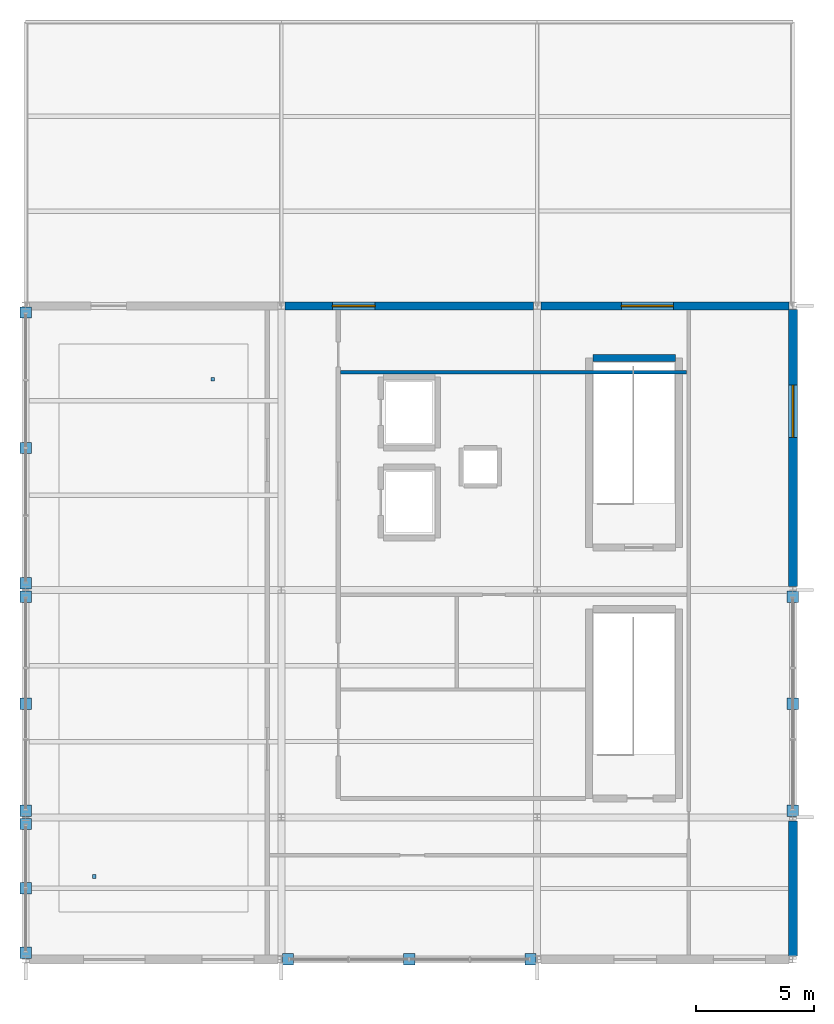
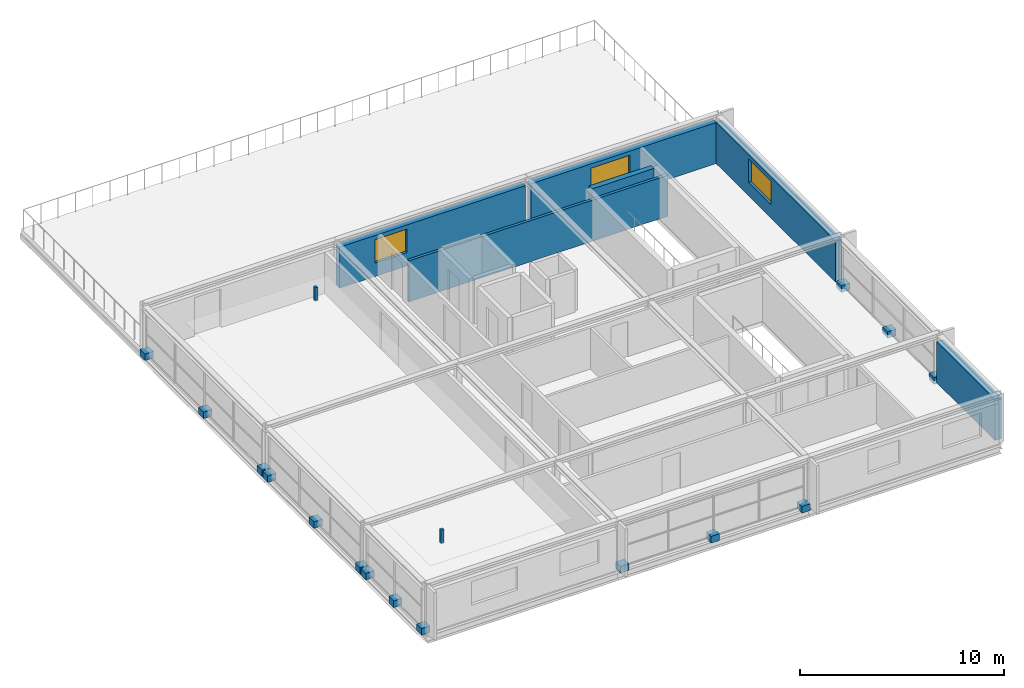
# One storey, part 13 of 14: 17 discrete accessories, 6 walls, 3 windows, 3 openings.
"""IFC4 building model written with IfcOpenShell, lengths in metres."""

from ifc_helpers import new_model, si_unit, direction, frame, frame_2d, origin, origin_2d, place, context, subcontext, project, spatial, rectangle, extrude, material, layer, layer_set, type_object, element, fill, save


model = new_model("IFC4")

# Units and contexts
model_context = context("Model", 3, precision=1e-05, world=origin(), true_north=direction((0.0, 1.0)))
body_context = subcontext(model_context, "Body", "Model", "MODEL_VIEW")
ifc_project = project(units=[si_unit("LENGTHUNIT", "METRE"), si_unit("AREAUNIT", "SQUARE_METRE"), si_unit("VOLUMEUNIT", "CUBIC_METRE"), si_unit("PLANEANGLEUNIT", "RADIAN"), si_unit("MASSUNIT", "GRAM", prefix="KILO")], contexts=[model_context])

# Site, building, storey
site_placement = place(None, origin())
site = spatial("IfcSite", under=ifc_project, at=site_placement, CompositionType="ELEMENT")
building_placement = place(site_placement, origin())
building = spatial("IfcBuilding", under=site, at=building_placement, Name="Merenkruunu Market Hall", CompositionType="ELEMENT")
storey_placement = place(building_placement, frame((0.0, 0.0, 18.60009765625)))
storey = spatial("IfcBuildingStorey", under=building, at=storey_placement, Name="L04", CompositionType="ELEMENT", Elevation=18.60009765625)

# Wall
ifc_material_1 = material(Name="Precast concrete C40/50", Category="concrete")
ifc_layer_1 = layer(ifc_material_1, 0.3798828125)
ifc_layer_set_1 = layer_set([ifc_layer_1], Name="Precast concrete C40/50")
wall_type_1 = type_object("IfcWallType", Name="Exterior Envelope Wall EW02", PredefinedType="STANDARD", material=ifc_layer_set_1)
wall_1_placement = place(storey_placement, frame((192.0, 5.85107421875, 0.0), z_axis=(0.0, 0.0, 1.0), x_axis=(0.0, -1.0, 0.0)))
element("IfcWall", 1, at=wall_1_placement, inside=storey, type_object=wall_type_1, Name="WALL-EXT-L04-0108", PredefinedType="STANDARD", context=body_context, shape_type="SweptSolid", body=[
    extrude(rectangle(XDim=5.7021484375, YDim=0.3798828125, at=frame_2d((2.85107421875, 0.0))), origin(), (0.0, 0.0, 1.0), 2.449951171875),
])

# Wall, opening, window
wall_2_placement = place(storey_placement, frame((192.0, 27.450927734375, 0.0), z_axis=(0.0, 0.0, 1.0), x_axis=(0.0, -1.0, 0.0)))
wall_2 = element("IfcWall", 2, at=wall_2_placement, inside=storey, type_object=wall_type_1, Name="WALL-EXT-L04-0109", PredefinedType="STANDARD", context=body_context, shape_type="SweptSolid", body=[
    extrude(rectangle(XDim=11.701904296875, YDim=0.3798828125, at=frame_2d((5.85107421875, 0.0))), origin(), (0.0, 0.0, 1.0), 2.449951171875),
])
opening_1_placement = place(wall_2_placement, frame((3.199951171875, 0.0, 0.800048828125)))
opening_1 = element("IfcOpeningElement", 3, at=opening_1_placement, cuts=wall_2, Name="Opening WN15", PredefinedType="OPENING", context=body_context, shape_type="SweptSolid", body=[
    extrude(rectangle(XDim=2.199951171875, YDim=1.39990234375, at=frame_2d((1.10009765625, 0.699951171875))), frame((0.0, 0.199951171875, 0.0), z_axis=(0.0, -1.0, 0.0), x_axis=(1.0, 0.0, 0.0)), (0.0, 0.0, 1.0), 0.39990234375),
])
ifc_material_2 = material(Name="Triple low-E insulated glass", Category="glass")
ifc_layer_2 = layer(ifc_material_2, 0.06005859375)
ifc_layer_set_2 = layer_set([ifc_layer_2], Name="Triple low-E insulated glass")
window_type_1 = type_object("IfcWindowType", Name="Exterior Window WN15", PartitioningType="SINGLE_PANEL", PredefinedType="WINDOW", material=ifc_layer_set_2)
window_1_placement = place(opening_1_placement, origin())
window_1 = element("IfcWindow", 4, at=window_1_placement, inside=storey, type_object=window_type_1, Name="WIN-L04-0064", OverallHeight=1.39990234375, OverallWidth=2.199951171875, PartitioningType="SINGLE_PANEL", PredefinedType="WINDOW", context=body_context, shape_type="SweptSolid", body=[
    extrude(rectangle(XDim=2.199951171875, YDim=1.39990234375, at=frame_2d((1.10009765625, 0.699951171875))), frame((0.0, 0.030029296875, 0.0), z_axis=(0.0, -1.0, 0.0), x_axis=(1.0, 0.0, 0.0)), (0.0, 0.0, 1.0), 0.06005859375),
])
fill(opening_1, window_1)

ifc_layer_3 = layer(ifc_material_1, 0.340087890625)
ifc_layer_set_3 = layer_set([ifc_layer_3], Name="Precast concrete C40/50")
wall_type_2 = type_object("IfcWallType", Name="Exterior Envelope Wall EW03", PredefinedType="STANDARD", material=ifc_layer_set_3)
wall_3_placement = place(storey_placement, frame((170.553955078125, 27.60009765625, 0.0), z_axis=(0.0, 0.0, 1.0), x_axis=(1.0, 0.0, 0.0)))
wall_3 = element("IfcWall", 5, at=wall_3_placement, inside=storey, type_object=wall_type_2, Name="WALL-EXT-L04-0111", PredefinedType="STANDARD", context=body_context, shape_type="SweptSolid", body=[
    extrude(rectangle(XDim=10.491943359375, YDim=0.340087890625, at=frame_2d((5.24609375, 0.0))), origin(), (0.0, 0.0, 1.0), 2.449951171875),
])
opening_2_placement = place(wall_3_placement, frame((2.0, 0.0, 0.800048828125)))
opening_2 = element("IfcOpeningElement", 6, at=opening_2_placement, cuts=wall_3, Name="Opening WN14", PredefinedType="OPENING", context=body_context, shape_type="SweptSolid", body=[
    extrude(rectangle(XDim=1.800048828125, YDim=1.39990234375, at=frame_2d((0.89990234375, 0.699951171875))), frame((0.0, 0.18017578125, 0.0), z_axis=(0.0, -1.0, 0.0), x_axis=(1.0, 0.0, 0.0)), (0.0, 0.0, 1.0), 0.360107421875),
])
ifc_layer_4 = layer(ifc_material_2, 0.06005859375)
ifc_layer_set_4 = layer_set([ifc_layer_4], Name="Triple low-E insulated glass")
window_type_2 = type_object("IfcWindowType", Name="Exterior Window WN14", PartitioningType="SINGLE_PANEL", PredefinedType="WINDOW", material=ifc_layer_set_4)
window_2_placement = place(opening_2_placement, origin())
window_2 = element("IfcWindow", 7, at=window_2_placement, inside=storey, type_object=window_type_2, Name="WIN-L04-0065", OverallHeight=1.39990234375, OverallWidth=1.800048828125, PartitioningType="SINGLE_PANEL", PredefinedType="WINDOW", context=body_context, shape_type="SweptSolid", body=[
    extrude(rectangle(XDim=1.800048828125, YDim=1.39990234375, at=frame_2d((0.89990234375, 0.699951171875))), frame((0.0, 0.030029296875, 0.0), z_axis=(0.0, -1.0, 0.0), x_axis=(1.0, 0.0, 0.0)), (0.0, 0.0, 1.0), 0.06005859375),
])
fill(opening_2, window_2)

wall_4_placement = place(storey_placement, frame((181.35400390625, 27.60009765625, 0.0), z_axis=(0.0, 0.0, 1.0), x_axis=(1.0, 0.0, 0.0)))
wall_4 = element("IfcWall", 8, at=wall_4_placement, inside=storey, type_object=wall_type_2, Name="WALL-EXT-L04-0112", PredefinedType="STANDARD", context=body_context, shape_type="SweptSolid", body=[
    extrude(rectangle(XDim=10.491943359375, YDim=0.340087890625, at=frame_2d((5.24609375, 0.0))), origin(), (0.0, 0.0, 1.0), 2.449951171875),
])
opening_3_placement = place(wall_4_placement, frame((3.39990234375, 0.0, 0.800048828125)))
opening_3 = element("IfcOpeningElement", 9, at=opening_3_placement, cuts=wall_4, Name="Opening WN15", PredefinedType="OPENING", context=body_context, shape_type="SweptSolid", body=[
    extrude(rectangle(XDim=2.199951171875, YDim=1.39990234375, at=frame_2d((1.10009765625, 0.699951171875))), frame((0.0, 0.18017578125, 0.0), z_axis=(0.0, -1.0, 0.0), x_axis=(1.0, 0.0, 0.0)), (0.0, 0.0, 1.0), 0.360107421875),
])
window_3_placement = place(opening_3_placement, origin())
window_3 = element("IfcWindow", 10, at=window_3_placement, inside=storey, type_object=window_type_1, Name="WIN-L04-0066", OverallHeight=1.39990234375, OverallWidth=2.199951171875, PartitioningType="SINGLE_PANEL", PredefinedType="WINDOW", context=body_context, shape_type="SweptSolid", body=[
    extrude(rectangle(XDim=2.199951171875, YDim=1.39990234375, at=frame_2d((1.10009765625, 0.699951171875))), frame((0.0, 0.030029296875, 0.0), z_axis=(0.0, -1.0, 0.0), x_axis=(1.0, 0.0, 0.0)), (0.0, 0.0, 1.0), 0.06005859375),
])
fill(opening_3, window_3)

# Walls
ifc_material_3 = material(Name="Gypsum acoustic partition board")
ifc_layer_5 = layer(ifc_material_3, 0.159912109375)
ifc_layer_set_5 = layer_set([ifc_layer_5], Name="Gypsum acoustic partition board")
wall_type_3 = type_object("IfcWallType", Name="Interior Partition Wall PW01", PredefinedType="PARTITIONING", material=ifc_layer_set_5)
wall_5_placement = place(storey_placement, frame((172.902099609375, 24.800048828125, 0.0), z_axis=(0.0, 0.0, 1.0), x_axis=(1.0, 0.0, 0.0)))
element("IfcWall", 11, at=wall_5_placement, inside=storey, type_object=wall_type_3, Name="WALL-INT-L04-0106", PredefinedType="PARTITIONING", context=body_context, shape_type="SweptSolid", body=[
    extrude(rectangle(XDim=14.615966796875, YDim=0.159912109375, at=frame_2d((7.30810546875, 0.0))), origin(), (0.0, 0.0, 1.0), 2.449951171875),
])
ifc_material_4 = material(Name="Concrete C35/45", Category="concrete")
ifc_layer_6 = layer(ifc_material_4, 0.300048828125)
ifc_layer_set_6 = layer_set([ifc_layer_6], Name="Concrete C35/45")
wall_type_4 = type_object("IfcWallType", Name="Structural Shear Wall SW02", PredefinedType="SHEAR", material=ifc_layer_set_6)
wall_6_placement = place(storey_placement, frame((187.050048828125, 25.39990234375, 0.0), z_axis=(0.0, 0.0, 1.0), x_axis=(-1.0, 0.0, 0.0)))
element("IfcWall", 12, at=wall_6_placement, inside=storey, type_object=wall_type_4, Name="WALL-CORE-K6-L04-N", PredefinedType="SHEAR", context=body_context, shape_type="SweptSolid", body=[
    extrude(rectangle(XDim=3.5, YDim=0.300048828125, at=frame_2d((1.75, 0.0))), origin(), (0.0, 0.0, 1.0), 2.699951171875),
])

# Discrete accessories
ifc_material_5 = material(Name="Brushed stainless steel", Category="steel")
ifc_layer_7 = layer(ifc_material_5, 0.159912109375)
ifc_layer_set_7 = layer_set([ifc_layer_7], Name="Brushed stainless steel")
discrete_accessory_type = type_object("IfcDiscreteAccessoryType", Name="Stainless Facade Support Bracket BRK01", PredefinedType="BRACKET", material=ifc_layer_set_7)
for number, where, z_axis, x_axis, name in (
    (13, (180.919921875, 0.0, -0.199951171875), (0.0, 0.0, 1.0), (1.0, 0.0, 0.0), "ACC-CWBRK-223-1"),
    (14, (175.800048828125, 0.0, -0.199951171875), (0.0, 0.0, 1.0), (1.0, 0.0, 0.0), "ACC-CWBRK-223-2"),
    (15, (170.679931640625, 0.0, -0.199951171875), (0.0, 0.0, 1.0), (1.0, 0.0, 0.0), "ACC-CWBRK-223-3"),
    (16, (192.0, 15.320068359375, -0.199951171875), (0.0, 0.0, 1.0), (1.0, 0.0, 0.0), "ACC-CWBRK-224-1"),
    (17, (192.0, 10.800048828125, -0.199951171875), (0.0, 0.0, 1.0), (1.0, 0.0, 0.0), "ACC-CWBRK-224-2"),
    (18, (192.0, 6.280029296875, -0.199951171875), (0.0, 0.0, 1.0), (1.0, 0.0, 0.0), "ACC-CWBRK-224-3"),
    (19, (159.60009765625, 0.280029296875, -0.199951171875), (0.0, 0.0, 1.0), (1.0, 0.0, 0.0), "ACC-CWBRK-225-1"),
    (20, (159.60009765625, 3.0, -0.199951171875), (0.0, 0.0, 1.0), (1.0, 0.0, 0.0), "ACC-CWBRK-225-2"),
    (21, (159.60009765625, 5.719970703125, -0.199951171875), (0.0, 0.0, 1.0), (1.0, 0.0, 0.0), "ACC-CWBRK-225-3"),
    (22, (159.60009765625, 6.280029296875, -0.199951171875), (0.0, 0.0, 1.0), (1.0, 0.0, 0.0), "ACC-CWBRK-226-1"),
    (23, (159.60009765625, 10.800048828125, -0.199951171875), (0.0, 0.0, 1.0), (1.0, 0.0, 0.0), "ACC-CWBRK-226-2"),
    (24, (159.60009765625, 15.320068359375, -0.199951171875), (0.0, 0.0, 1.0), (1.0, 0.0, 0.0), "ACC-CWBRK-226-3"),
    (25, (159.60009765625, 15.8798828125, -0.199951171875), (0.0, 0.0, 1.0), (1.0, 0.0, 0.0), "ACC-CWBRK-227-1"),
    (26, (159.60009765625, 21.60009765625, -0.199951171875), (0.0, 0.0, 1.0), (1.0, 0.0, 0.0), "ACC-CWBRK-227-2"),
    (27, (159.60009765625, 27.320068359375, -0.199951171875), (0.0, 0.0, 1.0), (1.0, 0.0, 0.0), "ACC-CWBRK-227-3"),
):
    element("IfcDiscreteAccessory", number, at=place(storey_placement, frame(where, z_axis=z_axis, x_axis=x_axis)), inside=storey, type_object=discrete_accessory_type, Name=name, PredefinedType="BRACKET", context=body_context, shape_type="SweptSolid", body=[
        extrude(rectangle(XDim=0.47998046875, YDim=0.47998046875, at=origin_2d()), origin(), (0.0, 0.0, 1.0), 0.39990234375),
    ])
for number, where, z_axis, x_axis, name in (
    (28, (162.5, 3.5, 2.14990234375), (0.0, 0.0, 1.0), (1.0, 0.0, 0.0), "ACC-CLGHNG-7-1"),
    (29, (167.5, 24.5, 2.14990234375), (0.0, 0.0, 1.0), (1.0, 0.0, 0.0), "ACC-CLGHNG-7-2"),
):
    element("IfcDiscreteAccessory", number, at=place(storey_placement, frame(where, z_axis=z_axis, x_axis=x_axis)), inside=storey, type_object=discrete_accessory_type, Name=name, PredefinedType="BRACKET", context=body_context, shape_type="SweptSolid", body=[
        extrude(rectangle(XDim=0.159912109375, YDim=0.159912109375, at=origin_2d()), origin(), (0.0, 0.0, 1.0), 0.800048828125),
    ])

save(model, "model.ifc")
